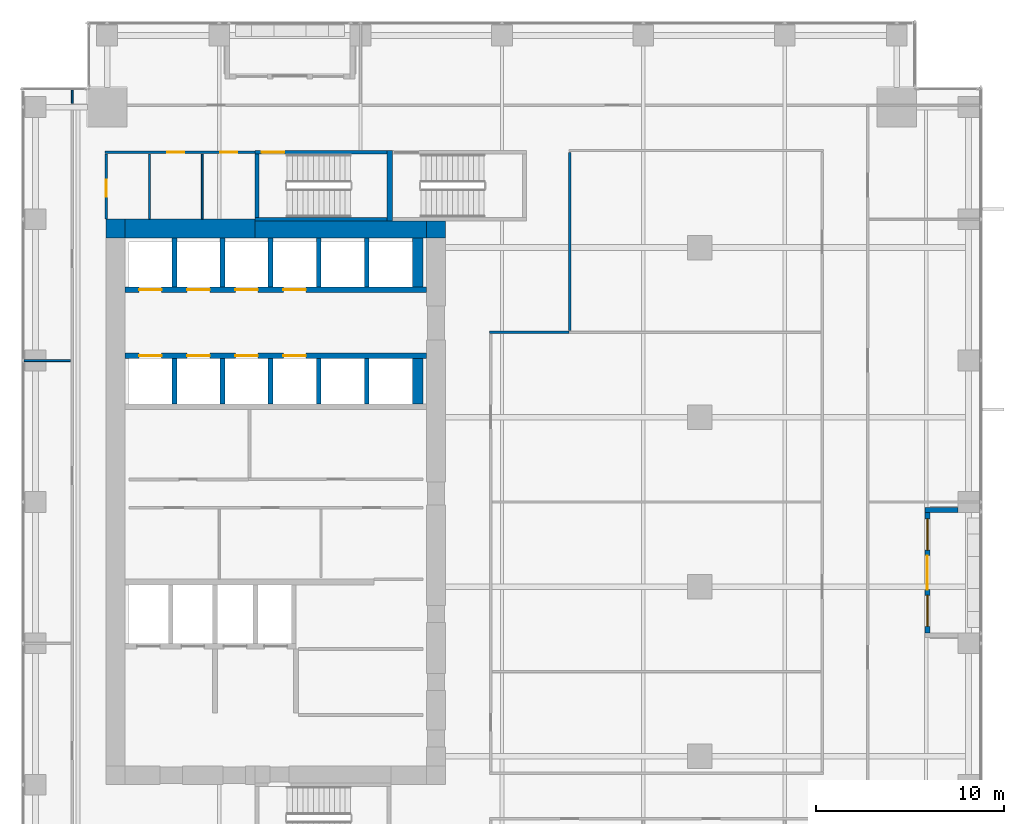
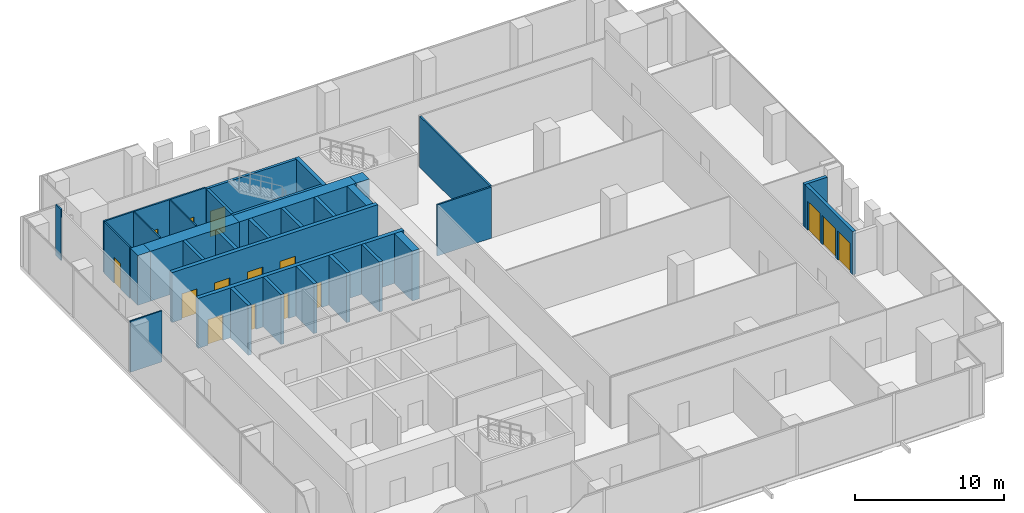
# One storey, part 30 of 34: 32 walls, 13 doors, 2 windows, 15 openings.
"""IFC4 building model written with IfcOpenShell, lengths in metres."""

from ifc_helpers import new_model, si_unit, direction, frame, frame_2d, origin, place, context, subcontext, project, spatial, rectangle, extrude, source, transform, mapped, material, layer, layer_set, type_object, element, fill, save


model = new_model("IFC4")

# Units and contexts
model_context = context("Model", 3, precision=1e-05, world=origin(), true_north=direction((0.0, 1.0)))
body_context = subcontext(model_context, "Body", "Model", "MODEL_VIEW")
ifc_project = project(units=[si_unit("LENGTHUNIT", "METRE"), si_unit("AREAUNIT", "SQUARE_METRE"), si_unit("VOLUMEUNIT", "CUBIC_METRE"), si_unit("PLANEANGLEUNIT", "RADIAN"), si_unit("MASSUNIT", "GRAM", prefix="KILO")], contexts=[model_context])

# Site, building, storey
site_placement = place(None, origin())
site = spatial("IfcSite", under=ifc_project, at=site_placement, CompositionType="ELEMENT")
building_placement = place(site_placement, origin())
building = spatial("IfcBuilding", under=site, at=building_placement, Name="Khomas Fold Tower", CompositionType="ELEMENT")
storey_placement = place(building_placement, frame((0.0, 0.0, 105.89990234375)))
storey = spatial("IfcBuildingStorey", under=building, at=storey_placement, Name="L22", CompositionType="ELEMENT", Elevation=105.89990234375)

# Walls
ifc_material_1 = material(Name="Concrete C70/85", Category="concrete")
ifc_layer_1 = layer(ifc_material_1, 1.0)
ifc_layer_set_1 = layer_set([ifc_layer_1], Name="Concrete C70/85")
wall_type_1 = type_object("IfcWallType", Name="Core wall 1000", PredefinedType="SHEAR", material=ifc_layer_set_1)
shared_shape_1 = source(origin(), body_context, "Body", "SweptSolid", [
    extrude(rectangle(XDim=6.89990234375, YDim=1.0, at=frame_2d((3.449951171875, 0.0))), origin(), (0.0, 0.0, 1.0), 4.10009765625),
])
wall_1_placement = place(storey_placement, frame((7.0, 41.5, 0.0), z_axis=(0.0, 0.0, 1.0), x_axis=(1.0, 0.0, 0.0)))
element("IfcWall", 1, at=wall_1_placement, inside=storey, type_object=wall_type_1, Name="Core wall CW-L-N-L21", PredefinedType="SHEAR", context=body_context, shape_type="MappedRepresentation", body=[
    mapped(shared_shape_1, transform((0.0, 0.0, 0.0))),
])
ifc_material_2 = material(Name="Concrete C70/85", Category="concrete")
ifc_layer_2 = layer(ifc_material_2, 0.89990234375)
ifc_layer_set_2 = layer_set([ifc_layer_2], Name="Concrete C70/85")
wall_type_2 = type_object("IfcWallType", Name="Core wall 900", PredefinedType="SHEAR", material=ifc_layer_set_2)
shared_shape_2 = source(origin(), body_context, "Body", "SweptSolid", [
    extrude(rectangle(XDim=9.10009765625, YDim=0.89990234375, at=frame_2d((4.550048828125, 0.0))), origin(), (0.0, 0.0, 1.0), 4.10009765625),
])
wall_2_placement = place(storey_placement, frame((13.89990234375, 41.449951171875, 0.0), z_axis=(0.0, 0.0, 1.0), x_axis=(1.0, 0.0, 0.0)))
element("IfcWall", 2, at=wall_2_placement, inside=storey, type_object=wall_type_2, Name="Core wall CW-L-N-L21-1", PredefinedType="SHEAR", context=body_context, shape_type="MappedRepresentation", body=[
    mapped(shared_shape_2, transform((0.0, 0.0, 0.0))),
])
ifc_material_3 = material(Name="Concrete C70/85", Category="concrete")
ifc_layer_3 = layer(ifc_material_3, 0.89990234375)
ifc_layer_set_3 = layer_set([ifc_layer_3], Name="Concrete C70/85")
wall_type_3 = type_object("IfcWallType", Name="Core corner wall 900", PredefinedType="SHEAR", material=ifc_layer_set_3)
shared_shape_3 = source(origin(), body_context, "Body", "SweptSolid", [
    extrude(rectangle(XDim=1.0, YDim=0.89990234375, at=frame_2d((0.5, 0.0))), origin(), (0.0, 0.0, 1.0), 4.10009765625),
])
wall_3_placement = place(storey_placement, frame((23.0, 41.449951171875, 0.0), z_axis=(0.0, 0.0, 1.0), x_axis=(1.0, 0.0, 0.0)))
element("IfcWall", 3, at=wall_3_placement, inside=storey, type_object=wall_type_3, Name="Core wall CW-L-NE-L21", PredefinedType="SHEAR", context=body_context, shape_type="MappedRepresentation", body=[
    mapped(shared_shape_3, transform((0.0, 0.0, 0.0))),
])
ifc_material_4 = material(Name="Concrete C70/85", Category="concrete")
ifc_layer_4 = layer(ifc_material_4, 1.0)
ifc_layer_set_4 = layer_set([ifc_layer_4], Name="Concrete C70/85")
wall_type_4 = type_object("IfcWallType", Name="Core corner wall 1000", PredefinedType="SHEAR", material=ifc_layer_set_4)
shared_shape_4 = source(origin(), body_context, "Body", "SweptSolid", [
    extrude(rectangle(XDim=1.0, YDim=1.0, at=frame_2d((0.5, 0.0))), origin(), (0.0, 0.0, 1.0), 4.10009765625),
])
wall_4_placement = place(storey_placement, frame((6.0, 41.5, 0.0), z_axis=(0.0, 0.0, 1.0), x_axis=(1.0, 0.0, 0.0)))
element("IfcWall", 4, at=wall_4_placement, inside=storey, type_object=wall_type_4, Name="Core wall CW-L-NW-L21", PredefinedType="SHEAR", context=body_context, shape_type="MappedRepresentation", body=[
    mapped(shared_shape_4, transform((0.0, 0.0, 0.0))),
])

# Wall, opening, door
ifc_material_5 = material(Name="Concrete C50/60", Category="concrete")
ifc_layer_5 = layer(ifc_material_5, 0.199951171875)
ifc_layer_set_5 = layer_set([ifc_layer_5], Name="Concrete C50/60")
wall_type_5 = type_object("IfcWallType", Name="Stair wall 200", PredefinedType="SHEAR", material=ifc_layer_set_5)
shared_shape_5 = source(origin(), body_context, "Body", "SweptSolid", [
    extrude(rectangle(XDim=7.0, YDim=0.199951171875, at=frame_2d((3.5, 0.0))), origin(), (0.0, 0.0, 1.0), 4.10009765625),
])
wall_5_placement = place(storey_placement, frame((13.89990234375, 45.550048828125, 0.0), z_axis=(0.0, 0.0, 1.0), x_axis=(1.0, 0.0, 0.0)))
wall_5 = element("IfcWall", 5, at=wall_5_placement, inside=storey, type_object=wall_type_5, Name="Stair wall SW-ST1-N", PredefinedType="SHEAR", context=body_context, shape_type="MappedRepresentation", body=[
    mapped(shared_shape_5, transform((0.0, 0.0, 0.0))),
])
shared_shape_6 = source(origin(), body_context, "Body", "SweptSolid", [
    extrude(rectangle(XDim=1.199951171875, YDim=2.10009765625, at=frame_2d((0.60009765625, 1.050048828125))), frame((0.0, 0.10986328125, 0.0), z_axis=(0.0, -1.0, 0.0), x_axis=(1.0, 0.0, 0.0)), (0.0, 0.0, 1.0), 0.219970703125),
])
opening_1_placement = place(wall_5_placement, frame((0.35009765625, 0.0, 0.0)))
opening_1 = element("IfcOpeningElement", 6, at=opening_1_placement, cuts=wall_5, Name="Opening SD-ST1", PredefinedType="OPENING", context=body_context, shape_type="MappedRepresentation", body=[
    mapped(shared_shape_6, transform((0.0, 0.0, 0.0))),
])
ifc_material_6 = material(Name="Steel door leaf", Category="steel")
door_type_1 = type_object("IfcDoorType", Name="Stair door 1200x2100 left-hand", OperationType="SINGLE_SWING_LEFT", PredefinedType="DOOR", material=ifc_material_6)
shared_shape_7 = source(origin(), body_context, "Body", "SweptSolid", [
    extrude(rectangle(XDim=1.199951171875, YDim=2.10009765625, at=frame_2d((0.60009765625, 1.050048828125))), frame((0.0, 0.02490234375, 0.0), z_axis=(0.0, -1.0, 0.0), x_axis=(1.0, 0.0, 0.0)), (0.0, 0.0, 1.0), 0.050048828125),
])
door_1_placement = place(opening_1_placement, origin())
door_1 = element("IfcDoor", 7, at=door_1_placement, inside=storey, type_object=door_type_1, Name="Stair door", OperationType="SINGLE_SWING_LEFT", OverallHeight=2.10009765625, OverallWidth=1.199951171875, PredefinedType="DOOR", context=body_context, shape_type="MappedRepresentation", body=[
    mapped(shared_shape_7, transform((0.0, 0.0, 0.0))),
])
fill(opening_1, door_1)

# Walls
wall_6_placement = place(storey_placement, frame((13.89990234375, 42.0, 0.0), z_axis=(0.0, 0.0, 1.0), x_axis=(1.0, 0.0, 0.0)))
element("IfcWall", 8, at=wall_6_placement, inside=storey, type_object=wall_type_5, Name="Stair wall SW-ST1-S", PredefinedType="SHEAR", context=body_context, shape_type="MappedRepresentation", body=[
    mapped(shared_shape_5, transform((0.0, 0.0, 0.0))),
])
ifc_material_7 = material(Name="Concrete C50/60", Category="concrete")
ifc_layer_6 = layer(ifc_material_7, 0.300048828125)
ifc_layer_set_6 = layer_set([ifc_layer_6], Name="Concrete C50/60")
wall_type_6 = type_object("IfcWallType", Name="Stair wall 300", PredefinedType="SHEAR", material=ifc_layer_set_6)
shared_shape_8 = source(origin(), body_context, "Body", "SweptSolid", [
    extrude(rectangle(XDim=3.75, YDim=0.300048828125, at=frame_2d((1.875, 0.0))), origin(), (0.0, 0.0, 1.0), 4.10009765625),
])
wall_7_placement = place(storey_placement, frame((21.050048828125, 41.89990234375, 0.0), z_axis=(0.0, 0.0, 1.0), x_axis=(0.0, 1.0, 0.0)))
element("IfcWall", 9, at=wall_7_placement, inside=storey, type_object=wall_type_6, Name="Stair wall SW-ST1-E", PredefinedType="SHEAR", context=body_context, shape_type="MappedRepresentation", body=[
    mapped(shared_shape_8, transform((0.0, 0.0, 0.0))),
])
shared_shape_9 = source(origin(), body_context, "Body", "SweptSolid", [
    extrude(rectangle(XDim=3.349853515625, YDim=0.199951171875, at=frame_2d((1.6748046875, 0.0))), origin(), (0.0, 0.0, 1.0), 4.10009765625),
])
wall_8_placement = place(storey_placement, frame((14.0, 42.10009765625, 0.0), z_axis=(0.0, 0.0, 1.0), x_axis=(0.0, 1.0, 0.0)))
element("IfcWall", 10, at=wall_8_placement, inside=storey, type_object=wall_type_5, Name="Stair wall SW-ST1-W", PredefinedType="SHEAR", context=body_context, shape_type="MappedRepresentation", body=[
    mapped(shared_shape_9, transform((0.0, 0.0, 0.0))),
])

# Wall, openings, doors
ifc_material_8 = material(Name="Concrete C50/60", Category="concrete")
ifc_layer_7 = layer(ifc_material_8, 0.300048828125)
ifc_layer_set_7 = layer_set([ifc_layer_7], Name="Concrete C50/60")
wall_type_7 = type_object("IfcWallType", Name="Shaft wall 300", PredefinedType="STANDARD", material=ifc_layer_set_7)
shared_shape_10 = source(origin(), body_context, "Body", "SweptSolid", [
    extrude(rectangle(XDim=16.0, YDim=0.300048828125, at=frame_2d((8.0, 0.0))), origin(), (0.0, 0.0, 1.0), 4.10009765625),
])
wall_9_placement = place(storey_placement, frame((7.0, 38.25, 0.0), z_axis=(0.0, 0.0, 1.0), x_axis=(1.0, 0.0, 0.0)))
wall_9 = element("IfcWall", 11, at=wall_9_placement, inside=storey, type_object=wall_type_7, Name="Core wall SW-LRN-F", PredefinedType="STANDARD", context=body_context, shape_type="MappedRepresentation", body=[
    mapped(shared_shape_10, transform((0.0, 0.0, 0.0))),
])
shared_shape_11 = source(origin(), body_context, "Body", "SweptSolid", [
    extrude(rectangle(XDim=1.199951171875, YDim=2.10009765625, at=frame_2d((0.60009765625, 1.050048828125))), frame((0.0, 0.159912109375, 0.0), z_axis=(0.0, -1.0, 0.0), x_axis=(1.0, 0.0, 0.0)), (0.0, 0.0, 1.0), 0.320068359375),
])
opening_2_placement = place(wall_9_placement, frame((0.75, 0.0, 0.0)))
opening_2 = element("IfcOpeningElement", 12, at=opening_2_placement, cuts=wall_9, Name="Opening LD-LR5", PredefinedType="OPENING", context=body_context, shape_type="MappedRepresentation", body=[
    mapped(shared_shape_11, transform((0.0, 0.0, 0.0))),
])
opening_3_placement = place(wall_9_placement, frame((3.300048828125, 0.0, 0.0)))
opening_3 = element("IfcOpeningElement", 13, at=opening_3_placement, cuts=wall_9, Name="Opening LD-LR6", PredefinedType="OPENING", context=body_context, shape_type="MappedRepresentation", body=[
    mapped(shared_shape_11, transform((0.0, 0.0, 0.0))),
])
opening_4_placement = place(wall_9_placement, frame((5.85009765625, 0.0, 0.0)))
opening_4 = element("IfcOpeningElement", 14, at=opening_4_placement, cuts=wall_9, Name="Opening LD-LR7", PredefinedType="OPENING", context=body_context, shape_type="MappedRepresentation", body=[
    mapped(shared_shape_11, transform((0.0, 0.0, 0.0))),
])
opening_5_placement = place(wall_9_placement, frame((8.39990234375, 0.0, 0.0)))
opening_5 = element("IfcOpeningElement", 15, at=opening_5_placement, cuts=wall_9, Name="Opening LD-LR8", PredefinedType="OPENING", context=body_context, shape_type="MappedRepresentation", body=[
    mapped(shared_shape_11, transform((0.0, 0.0, 0.0))),
])
ifc_material_9 = material(Name="Steel door leaf", Category="steel")
door_type_2 = type_object("IfcDoorType", Name="Landing door 1200x2100", OperationType="DOUBLE_DOOR_SLIDING", PredefinedType="DOOR", material=ifc_material_9)
door_2_placement = place(opening_2_placement, origin())
door_2 = element("IfcDoor", 16, at=door_2_placement, inside=storey, type_object=door_type_2, Name="Lift landing door", OperationType="DOUBLE_DOOR_SLIDING", OverallHeight=2.10009765625, OverallWidth=1.199951171875, PredefinedType="DOOR", context=body_context, shape_type="MappedRepresentation", body=[
    mapped(shared_shape_7, transform((0.0, 0.0, 0.0))),
])
fill(opening_2, door_2)
door_3_placement = place(opening_3_placement, origin())
door_3 = element("IfcDoor", 17, at=door_3_placement, inside=storey, type_object=door_type_2, Name="Lift landing door", OperationType="DOUBLE_DOOR_SLIDING", OverallHeight=2.10009765625, OverallWidth=1.199951171875, PredefinedType="DOOR", context=body_context, shape_type="MappedRepresentation", body=[
    mapped(shared_shape_7, transform((0.0, 0.0, 0.0))),
])
fill(opening_3, door_3)
door_4_placement = place(opening_4_placement, origin())
door_4 = element("IfcDoor", 18, at=door_4_placement, inside=storey, type_object=door_type_2, Name="Lift landing door", OperationType="DOUBLE_DOOR_SLIDING", OverallHeight=2.10009765625, OverallWidth=1.199951171875, PredefinedType="DOOR", context=body_context, shape_type="MappedRepresentation", body=[
    mapped(shared_shape_7, transform((0.0, 0.0, 0.0))),
])
fill(opening_4, door_4)
door_5_placement = place(opening_5_placement, origin())
door_5 = element("IfcDoor", 19, at=door_5_placement, inside=storey, type_object=door_type_2, Name="Lift landing door", OperationType="DOUBLE_DOOR_SLIDING", OverallHeight=2.10009765625, OverallWidth=1.199951171875, PredefinedType="DOOR", context=body_context, shape_type="MappedRepresentation", body=[
    mapped(shared_shape_7, transform((0.0, 0.0, 0.0))),
])
fill(opening_5, door_5)

wall_10_placement = place(storey_placement, frame((7.0, 34.75, 0.0), z_axis=(0.0, 0.0, 1.0), x_axis=(1.0, 0.0, 0.0)))
wall_10 = element("IfcWall", 20, at=wall_10_placement, inside=storey, type_object=wall_type_7, Name="Core wall SW-LRS-F", PredefinedType="STANDARD", context=body_context, shape_type="MappedRepresentation", body=[
    mapped(shared_shape_10, transform((0.0, 0.0, 0.0))),
])
opening_6_placement = place(wall_10_placement, frame((0.75, 0.0, 0.0)))
opening_6 = element("IfcOpeningElement", 21, at=opening_6_placement, cuts=wall_10, Name="Opening LD-LR1", PredefinedType="OPENING", context=body_context, shape_type="MappedRepresentation", body=[
    mapped(shared_shape_11, transform((0.0, 0.0, 0.0))),
])
opening_7_placement = place(wall_10_placement, frame((3.300048828125, 0.0, 0.0)))
opening_7 = element("IfcOpeningElement", 22, at=opening_7_placement, cuts=wall_10, Name="Opening LD-LR2", PredefinedType="OPENING", context=body_context, shape_type="MappedRepresentation", body=[
    mapped(shared_shape_11, transform((0.0, 0.0, 0.0))),
])
opening_8_placement = place(wall_10_placement, frame((5.85009765625, 0.0, 0.0)))
opening_8 = element("IfcOpeningElement", 23, at=opening_8_placement, cuts=wall_10, Name="Opening LD-LR3", PredefinedType="OPENING", context=body_context, shape_type="MappedRepresentation", body=[
    mapped(shared_shape_11, transform((0.0, 0.0, 0.0))),
])
opening_9_placement = place(wall_10_placement, frame((8.39990234375, 0.0, 0.0)))
opening_9 = element("IfcOpeningElement", 24, at=opening_9_placement, cuts=wall_10, Name="Opening LD-LR4", PredefinedType="OPENING", context=body_context, shape_type="MappedRepresentation", body=[
    mapped(shared_shape_11, transform((0.0, 0.0, 0.0))),
])
door_6_placement = place(opening_6_placement, origin())
door_6 = element("IfcDoor", 25, at=door_6_placement, inside=storey, type_object=door_type_2, Name="Lift landing door", OperationType="DOUBLE_DOOR_SLIDING", OverallHeight=2.10009765625, OverallWidth=1.199951171875, PredefinedType="DOOR", context=body_context, shape_type="MappedRepresentation", body=[
    mapped(shared_shape_7, transform((0.0, 0.0, 0.0))),
])
fill(opening_6, door_6)
door_7_placement = place(opening_7_placement, origin())
door_7 = element("IfcDoor", 26, at=door_7_placement, inside=storey, type_object=door_type_2, Name="Lift landing door", OperationType="DOUBLE_DOOR_SLIDING", OverallHeight=2.10009765625, OverallWidth=1.199951171875, PredefinedType="DOOR", context=body_context, shape_type="MappedRepresentation", body=[
    mapped(shared_shape_7, transform((0.0, 0.0, 0.0))),
])
fill(opening_7, door_7)
door_8_placement = place(opening_8_placement, origin())
door_8 = element("IfcDoor", 27, at=door_8_placement, inside=storey, type_object=door_type_2, Name="Lift landing door", OperationType="DOUBLE_DOOR_SLIDING", OverallHeight=2.10009765625, OverallWidth=1.199951171875, PredefinedType="DOOR", context=body_context, shape_type="MappedRepresentation", body=[
    mapped(shared_shape_7, transform((0.0, 0.0, 0.0))),
])
fill(opening_8, door_8)
door_9_placement = place(opening_9_placement, origin())
door_9 = element("IfcDoor", 28, at=door_9_placement, inside=storey, type_object=door_type_2, Name="Lift landing door", OperationType="DOUBLE_DOOR_SLIDING", OverallHeight=2.10009765625, OverallWidth=1.199951171875, PredefinedType="DOOR", context=body_context, shape_type="MappedRepresentation", body=[
    mapped(shared_shape_7, transform((0.0, 0.0, 0.0))),
])
fill(opening_9, door_9)

# Walls
ifc_material_10 = material(Name="Concrete C50/60", Category="concrete")
ifc_layer_8 = layer(ifc_material_10, 0.25)
ifc_layer_set_8 = layer_set([ifc_layer_8], Name="Concrete C50/60")
wall_type_8 = type_object("IfcWallType", Name="Shaft wall 250", PredefinedType="STANDARD", material=ifc_layer_set_8)
shared_shape_12 = source(origin(), body_context, "Body", "SweptSolid", [
    extrude(rectangle(XDim=2.60009765625, YDim=0.25, at=frame_2d((1.300048828125, 0.0))), origin(), (0.0, 0.0, 1.0), 4.10009765625),
])
for number, where, z_axis, x_axis, name in (
    (29, (9.625, 38.39990234375, 0.0), (0.0, 0.0, 1.0), (0.0, 1.0, 0.0), "Core wall SW-LRN-P1"),
    (30, (12.175048828125, 38.39990234375, 0.0), (0.0, 0.0, 1.0), (0.0, 1.0, 0.0), "Core wall SW-LRN-P2"),
    (31, (14.72509765625, 38.39990234375, 0.0), (0.0, 0.0, 1.0), (0.0, 1.0, 0.0), "Core wall SW-LRN-P3"),
    (32, (17.27490234375, 38.39990234375, 0.0), (0.0, 0.0, 1.0), (0.0, 1.0, 0.0), "Core wall SW-LRN-P4"),
    (33, (19.824951171875, 38.39990234375, 0.0), (0.0, 0.0, 1.0), (0.0, 1.0, 0.0), "Core wall SW-LRN-P5"),
):
    element("IfcWall", number, at=place(storey_placement, frame(where, z_axis=z_axis, x_axis=x_axis)), inside=storey, type_object=wall_type_8, Name=name, PredefinedType="STANDARD", context=body_context, shape_type="MappedRepresentation", body=[
        mapped(shared_shape_12, transform((0.0, 0.0, 0.0))),
    ])
ifc_material_11 = material(Name="Concrete C50/60", Category="concrete")
ifc_layer_9 = layer(ifc_material_11, 0.550048828125)
ifc_layer_set_9 = layer_set([ifc_layer_9], Name="Concrete C50/60")
wall_type_9 = type_object("IfcWallType", Name="Shaft wall 550", PredefinedType="STANDARD", material=ifc_layer_set_9)
shared_shape_13 = source(origin(), body_context, "Body", "SweptSolid", [
    extrude(rectangle(XDim=2.60009765625, YDim=0.550048828125, at=frame_2d((1.300048828125, 0.0))), origin(), (0.0, 0.0, 1.0), 4.10009765625),
])
wall_11_placement = place(storey_placement, frame((22.52490234375, 38.39990234375, 0.0), z_axis=(0.0, 0.0, 1.0), x_axis=(0.0, 1.0, 0.0)))
element("IfcWall", 34, at=wall_11_placement, inside=storey, type_object=wall_type_9, Name="Core wall SW-LRN-PE", PredefinedType="STANDARD", context=body_context, shape_type="MappedRepresentation", body=[
    mapped(shared_shape_13, transform((0.0, 0.0, 0.0))),
])
shared_shape_14 = source(origin(), body_context, "Body", "SweptSolid", [
    extrude(rectangle(XDim=2.400146484375, YDim=0.25, at=frame_2d((1.2001953125, 0.0))), origin(), (0.0, 0.0, 1.0), 4.10009765625),
])
for number, where, z_axis, x_axis, name in (
    (35, (9.625, 32.199951171875, 0.0), (0.0, 0.0, 1.0), (0.0, 1.0, 0.0), "Core wall SW-LRS-P1"),
    (36, (12.175048828125, 32.199951171875, 0.0), (0.0, 0.0, 1.0), (0.0, 1.0, 0.0), "Core wall SW-LRS-P2"),
    (37, (14.72509765625, 32.199951171875, 0.0), (0.0, 0.0, 1.0), (0.0, 1.0, 0.0), "Core wall SW-LRS-P3"),
    (38, (17.27490234375, 32.199951171875, 0.0), (0.0, 0.0, 1.0), (0.0, 1.0, 0.0), "Core wall SW-LRS-P4"),
    (39, (19.824951171875, 32.199951171875, 0.0), (0.0, 0.0, 1.0), (0.0, 1.0, 0.0), "Core wall SW-LRS-P5"),
):
    element("IfcWall", number, at=place(storey_placement, frame(where, z_axis=z_axis, x_axis=x_axis)), inside=storey, type_object=wall_type_8, Name=name, PredefinedType="STANDARD", context=body_context, shape_type="MappedRepresentation", body=[
        mapped(shared_shape_14, transform((0.0, 0.0, 0.0))),
    ])
shared_shape_15 = source(origin(), body_context, "Body", "SweptSolid", [
    extrude(rectangle(XDim=2.400146484375, YDim=0.550048828125, at=frame_2d((1.2001953125, 0.0))), origin(), (0.0, 0.0, 1.0), 4.10009765625),
])
wall_12_placement = place(storey_placement, frame((22.52490234375, 32.199951171875, 0.0), z_axis=(0.0, 0.0, 1.0), x_axis=(0.0, 1.0, 0.0)))
element("IfcWall", 40, at=wall_12_placement, inside=storey, type_object=wall_type_9, Name="Core wall SW-LRS-PE", PredefinedType="STANDARD", context=body_context, shape_type="MappedRepresentation", body=[
    mapped(shared_shape_15, transform((0.0, 0.0, 0.0))),
])

# Wall, openings, door, windows
ifc_material_12 = material(Name="Natural stone", Category="masonry")
ifc_layer_10 = layer(ifc_material_12, 0.0400390625)
ifc_material_13 = material(Name="Mineral wool insulation", Category="insulation")
ifc_layer_11 = layer(ifc_material_13, 0.10009765625)
ifc_material_14 = material(Name="Masonry", Category="masonry")
ifc_layer_12 = layer(ifc_material_14, 0.110107421875)
ifc_layer_set_10 = layer_set([ifc_layer_10, ifc_layer_11, ifc_layer_12], Name="Stone-faced insulated masonry")
wall_type_10 = type_object("IfcWallType", Name="BL-Balcony wall", PredefinedType="SOLIDWALL", material=ifc_layer_set_10)
shared_shape_16 = source(origin(), body_context, "Body", "SweptSolid", [
    extrude(rectangle(XDim=6.39990234375, YDim=0.25, at=frame_2d((3.199951171875, 0.0))), origin(), (0.0, 0.0, 1.0), 3.550048828125),
])
wall_13_placement = place(storey_placement, frame((49.574951171875, 20.050048828125, 0.0), z_axis=(0.0, 0.0, 1.0), x_axis=(0.0, 1.0, 0.0)))
wall_13 = element("IfcWall", 41, at=wall_13_placement, inside=storey, type_object=wall_type_10, Name="Balcony wall BAL-L22-E2", PredefinedType="SOLIDWALL", context=body_context, shape_type="MappedRepresentation", body=[
    mapped(shared_shape_16, transform((0.0, 0.0, 0.0))),
])
shared_shape_17 = source(origin(), body_context, "Body", "SweptSolid", [
    extrude(rectangle(XDim=1.64990234375, YDim=2.39990234375, at=frame_2d((0.824951171875, 1.199951171875))), frame((0.0, 0.135009765625, 0.0), z_axis=(0.0, -1.0, 0.0), x_axis=(1.0, 0.0, 0.0)), (0.0, 0.0, 1.0), 0.27001953125),
])
opening_10_placement = place(wall_13_placement, frame((0.35009765625, 0.0, 0.0)))
opening_10 = element("IfcOpeningElement", 42, at=opening_10_placement, cuts=wall_13, Name="Opening BL-W2", PredefinedType="OPENING", context=body_context, shape_type="MappedRepresentation", body=[
    mapped(shared_shape_17, transform((0.0, 0.0, 0.0))),
])
opening_11_placement = place(wall_13_placement, frame((4.39990234375, 0.0, 0.0)))
opening_11 = element("IfcOpeningElement", 43, at=opening_11_placement, cuts=wall_13, Name="Opening BL-W2", PredefinedType="OPENING", context=body_context, shape_type="MappedRepresentation", body=[
    mapped(shared_shape_17, transform((0.0, 0.0, 0.0))),
])
shared_shape_18 = source(origin(), body_context, "Body", "SweptSolid", [
    extrude(rectangle(XDim=1.800048828125, YDim=2.39990234375, at=frame_2d((0.89990234375, 1.199951171875))), frame((0.0, 0.135009765625, 0.0), z_axis=(0.0, -1.0, 0.0), x_axis=(1.0, 0.0, 0.0)), (0.0, 0.0, 1.0), 0.27001953125),
])
opening_12_placement = place(wall_13_placement, frame((2.300048828125, 0.0, 0.0)))
opening_12 = element("IfcOpeningElement", 44, at=opening_12_placement, cuts=wall_13, Name="Opening BD222", PredefinedType="OPENING", context=body_context, shape_type="MappedRepresentation", body=[
    mapped(shared_shape_18, transform((0.0, 0.0, 0.0))),
])
ifc_material_15 = material(Name="Aluminium framed double glazing", Category="aluminium")
door_type_3 = type_object("IfcDoorType", Name="BL-Glazed balcony door 1800 x 2400", OperationType="DOUBLE_DOOR_DOUBLE_SWING", PredefinedType="DOOR", material=ifc_material_15)
shared_shape_19 = source(origin(), body_context, "Body", "SweptSolid", [
    extrude(rectangle(XDim=1.800048828125, YDim=2.39990234375, at=frame_2d((0.89990234375, 1.199951171875))), frame((0.0, 0.02490234375, 0.0), z_axis=(0.0, -1.0, 0.0), x_axis=(1.0, 0.0, 0.0)), (0.0, 0.0, 1.0), 0.050048828125),
])
door_10_placement = place(opening_12_placement, origin())
door_10 = element("IfcDoor", 45, at=door_10_placement, inside=storey, type_object=door_type_3, Name="Balcony door BD222", OperationType="DOUBLE_DOOR_DOUBLE_SWING", OverallHeight=2.39990234375, OverallWidth=1.800048828125, PredefinedType="DOOR", context=body_context, shape_type="MappedRepresentation", body=[
    mapped(shared_shape_19, transform((0.0, 0.0, 0.0))),
])
fill(opening_12, door_10)
ifc_material_16 = material(Name="Aluminium framed double glazing", Category="aluminium")
window_type = type_object("IfcWindowType", Name="BL-Fixed glazing 1650 x 2400", PartitioningType="SINGLE_PANEL", PredefinedType="WINDOW", material=ifc_material_16)
shared_shape_20 = source(origin(), body_context, "Body", "SweptSolid", [
    extrude(rectangle(XDim=1.64990234375, YDim=2.39990234375, at=frame_2d((0.824951171875, 1.199951171875))), frame((0.0, 0.030029296875, 0.0), z_axis=(0.0, -1.0, 0.0), x_axis=(1.0, 0.0, 0.0)), (0.0, 0.0, 1.0), 0.06005859375),
])
window_1_placement = place(opening_10_placement, origin())
window_1 = element("IfcWindow", 46, at=window_1_placement, inside=storey, type_object=window_type, Name="Balcony glazing BAL-L22-E2-1", OverallHeight=2.39990234375, OverallWidth=1.64990234375, PartitioningType="SINGLE_PANEL", PredefinedType="WINDOW", context=body_context, shape_type="MappedRepresentation", body=[
    mapped(shared_shape_20, transform((0.0, 0.0, 0.0))),
])
fill(opening_10, window_1)
window_2_placement = place(opening_11_placement, origin())
window_2 = element("IfcWindow", 47, at=window_2_placement, inside=storey, type_object=window_type, Name="Balcony glazing BAL-L22-E2-2", OverallHeight=2.39990234375, OverallWidth=1.64990234375, PartitioningType="SINGLE_PANEL", PredefinedType="WINDOW", context=body_context, shape_type="MappedRepresentation", body=[
    mapped(shared_shape_20, transform((0.0, 0.0, 0.0))),
])
fill(opening_11, window_2)

# Walls
shared_shape_21 = source(origin(), body_context, "Body", "SweptSolid", [
    extrude(rectangle(XDim=1.75, YDim=0.25, at=frame_2d((0.875, 0.0))), origin(), (0.0, 0.0, 1.0), 3.550048828125),
])
wall_14_placement = place(storey_placement, frame((51.199951171875, 26.574951171875, 0.0), z_axis=(0.0, 0.0, 1.0), x_axis=(-1.0, 0.0, 0.0)))
element("IfcWall", 48, at=wall_14_placement, inside=storey, type_object=wall_type_10, Name="Balcony return wall BAL-L22-E2-hi", PredefinedType="SOLIDWALL", context=body_context, shape_type="MappedRepresentation", body=[
    mapped(shared_shape_21, transform((0.0, 0.0, 0.0))),
])
ifc_material_17 = material(Name="Plasterboard partition")
ifc_layer_13 = layer(ifc_material_17, 0.10009765625)
ifc_layer_set_11 = layer_set([ifc_layer_13], Name="Plasterboard partition")
wall_type_11 = type_object("IfcWallType", Name="Partition PW1 100", PredefinedType="PARTITIONING", material=ifc_layer_set_11)
shared_shape_22 = source(origin(), body_context, "Body", "SweptSolid", [
    extrude(rectangle(XDim=2.4501953125, YDim=0.10009765625, at=frame_2d((1.22509765625, 0.0))), origin(), (0.0, 0.0, 1.0), 4.2001953125),
])
wall_15_placement = place(storey_placement, frame((1.64990234375, 34.5, 0.0), z_axis=(0.0, 0.0, 1.0), x_axis=(1.0, 0.0, 0.0)))
element("IfcWall", 49, at=wall_15_placement, inside=storey, type_object=wall_type_11, Name="Partition", PredefinedType="PARTITIONING", context=body_context, shape_type="MappedRepresentation", body=[
    mapped(shared_shape_22, transform((0.0, 0.0, 0.0))),
])
ifc_material_18 = material(Name="Plasterboard partition")
ifc_layer_14 = layer(ifc_material_18, 0.125)
ifc_layer_set_12 = layer_set([ifc_layer_14], Name="Plasterboard partition")
wall_type_12 = type_object("IfcWallType", Name="Partition PW2 125", PredefinedType="PARTITIONING", material=ifc_layer_set_12)
shared_shape_23 = source(origin(), body_context, "Body", "SweptSolid", [
    extrude(rectangle(XDim=4.199951171875, YDim=0.125, at=frame_2d((2.10009765625, 0.0))), origin(), (0.0, 0.0, 1.0), 4.2001953125),
])
wall_16_placement = place(storey_placement, frame((26.35009765625, 36.0, 0.0), z_axis=(0.0, 0.0, 1.0), x_axis=(1.0, 0.0, 0.0)))
element("IfcWall", 50, at=wall_16_placement, inside=storey, type_object=wall_type_12, Name="Partition", PredefinedType="PARTITIONING", context=body_context, shape_type="MappedRepresentation", body=[
    mapped(shared_shape_23, transform((0.0, 0.0, 0.0))),
])
shared_shape_24 = source(origin(), body_context, "Body", "SweptSolid", [
    extrude(rectangle(XDim=9.449951171875, YDim=0.125, at=frame_2d((4.72509765625, 0.0))), origin(), (0.0, 0.0, 1.0), 4.2001953125),
])
wall_17_placement = place(storey_placement, frame((30.60009765625, 36.10009765625, 0.0), z_axis=(0.0, 0.0, 1.0), x_axis=(0.0, 1.0, 0.0)))
element("IfcWall", 51, at=wall_17_placement, inside=storey, type_object=wall_type_12, Name="Partition", PredefinedType="PARTITIONING", context=body_context, shape_type="MappedRepresentation", body=[
    mapped(shared_shape_24, transform((0.0, 0.0, 0.0))),
])

# Wall, opening, door
shared_shape_25 = source(origin(), body_context, "Body", "SweptSolid", [
    extrude(rectangle(XDim=3.449951171875, YDim=0.125, at=frame_2d((1.72509765625, 0.0))), origin(), (0.0, 0.0, 1.0), 4.2001953125),
])
wall_18_placement = place(storey_placement, frame((6.0, 42.0, 0.0), z_axis=(0.0, 0.0, 1.0), x_axis=(0.0, 1.0, 0.0)))
wall_18 = element("IfcWall", 52, at=wall_18_placement, inside=storey, type_object=wall_type_12, Name="Partition", PredefinedType="PARTITIONING", context=body_context, shape_type="MappedRepresentation", body=[
    mapped(shared_shape_25, transform((0.0, 0.0, 0.0))),
])
shared_shape_26 = source(origin(), body_context, "Body", "SweptSolid", [
    extrude(rectangle(XDim=0.89990234375, YDim=2.10009765625, at=frame_2d((0.449951171875, 1.050048828125))), frame((0.0, 0.072509765625, 0.0), z_axis=(0.0, -1.0, 0.0), x_axis=(1.0, 0.0, 0.0)), (0.0, 0.0, 1.0), 0.14501953125),
])
opening_13_placement = place(wall_18_placement, frame((1.199951171875, 0.0, 0.0)))
opening_13 = element("IfcOpeningElement", 53, at=opening_13_placement, cuts=wall_18, Name="Opening 0007", PredefinedType="OPENING", context=body_context, shape_type="MappedRepresentation", body=[
    mapped(shared_shape_26, transform((0.0, 0.0, 0.0))),
])
ifc_material_19 = material(Name="Timber door leaf", Category="wood")
door_type_4 = type_object("IfcDoorType", Name="Door 900x2100 left-hand", OperationType="SINGLE_SWING_LEFT", PredefinedType="DOOR", material=ifc_material_19)
shared_shape_27 = source(origin(), body_context, "Body", "SweptSolid", [
    extrude(rectangle(XDim=0.89990234375, YDim=2.10009765625, at=frame_2d((0.449951171875, 1.050048828125))), frame((0.0, 0.02490234375, 0.0), z_axis=(0.0, -1.0, 0.0), x_axis=(1.0, 0.0, 0.0)), (0.0, 0.0, 1.0), 0.050048828125),
])
door_11_placement = place(opening_13_placement, origin())
door_11 = element("IfcDoor", 54, at=door_11_placement, inside=storey, type_object=door_type_4, Name="Door", OperationType="SINGLE_SWING_LEFT", OverallHeight=2.10009765625, OverallWidth=0.89990234375, PredefinedType="DOOR", context=body_context, shape_type="MappedRepresentation", body=[
    mapped(shared_shape_27, transform((0.0, 0.0, 0.0))),
])
fill(opening_13, door_11)

# Walls
shared_shape_28 = source(origin(), body_context, "Body", "SweptSolid", [
    extrude(rectangle(XDim=3.449951171875, YDim=0.10009765625, at=frame_2d((1.72509765625, 0.0))), origin(), (0.0, 0.0, 1.0), 4.2001953125),
])
for number, where, z_axis, x_axis, name in (
    (55, (8.300048828125, 42.0, 0.0), (0.0, 0.0, 1.0), (0.0, 1.0, 0.0), "Partition"),
    (56, (11.10009765625, 42.0, 0.0), (0.0, 0.0, 1.0), (0.0, 1.0, 0.0), "Partition"),
):
    element("IfcWall", number, at=place(storey_placement, frame(where, z_axis=z_axis, x_axis=x_axis)), inside=storey, type_object=wall_type_11, Name=name, PredefinedType="PARTITIONING", context=body_context, shape_type="MappedRepresentation", body=[
        mapped(shared_shape_28, transform((0.0, 0.0, 0.0))),
    ])

# Wall, openings, doors
shared_shape_29 = source(origin(), body_context, "Body", "SweptSolid", [
    extrude(rectangle(XDim=7.949951171875, YDim=0.125, at=frame_2d((3.97509765625, 0.0))), origin(), (0.0, 0.0, 1.0), 4.2001953125),
])
wall_19_placement = place(storey_placement, frame((5.949951171875, 45.550048828125, 0.0), z_axis=(0.0, 0.0, 1.0), x_axis=(1.0, 0.0, 0.0)))
wall_19 = element("IfcWall", 57, at=wall_19_placement, inside=storey, type_object=wall_type_12, Name="Partition", PredefinedType="PARTITIONING", context=body_context, shape_type="MappedRepresentation", body=[
    mapped(shared_shape_29, transform((0.0, 0.0, 0.0))),
])
opening_14_placement = place(wall_19_placement, frame((3.300048828125, 0.0, 0.0)))
opening_14 = element("IfcOpeningElement", 58, at=opening_14_placement, cuts=wall_19, Name="Opening 0007", PredefinedType="OPENING", context=body_context, shape_type="MappedRepresentation", body=[
    mapped(shared_shape_26, transform((0.0, 0.0, 0.0))),
])
opening_15_placement = place(wall_19_placement, frame((6.10009765625, 0.0, 0.0)))
opening_15 = element("IfcOpeningElement", 59, at=opening_15_placement, cuts=wall_19, Name="Opening 0008", PredefinedType="OPENING", context=body_context, shape_type="MappedRepresentation", body=[
    mapped(shared_shape_26, transform((0.0, 0.0, 0.0))),
])
door_12_placement = place(opening_14_placement, origin())
door_12 = element("IfcDoor", 60, at=door_12_placement, inside=storey, type_object=door_type_4, Name="Door", OperationType="SINGLE_SWING_LEFT", OverallHeight=2.10009765625, OverallWidth=0.89990234375, PredefinedType="DOOR", context=body_context, shape_type="MappedRepresentation", body=[
    mapped(shared_shape_27, transform((0.0, 0.0, 0.0))),
])
fill(opening_14, door_12)
ifc_material_20 = material(Name="Timber door leaf", Category="wood")
door_type_5 = type_object("IfcDoorType", Name="Door 900x2100 right-hand", OperationType="SINGLE_SWING_RIGHT", PredefinedType="DOOR", material=ifc_material_20)
door_13_placement = place(opening_15_placement, origin())
door_13 = element("IfcDoor", 61, at=door_13_placement, inside=storey, type_object=door_type_5, Name="Door", OperationType="SINGLE_SWING_RIGHT", OverallHeight=2.10009765625, OverallWidth=0.89990234375, PredefinedType="DOOR", context=body_context, shape_type="MappedRepresentation", body=[
    mapped(shared_shape_27, transform((0.0, 0.0, 0.0))),
])
fill(opening_15, door_13)

# Wall
shared_shape_30 = source(origin(), body_context, "Body", "SweptSolid", [
    extrude(rectangle(XDim=0.7001953125, YDim=0.10009765625, at=frame_2d((0.35009765625, 0.0))), origin(), (0.0, 0.0, 1.0), 4.2001953125),
])
wall_20_placement = place(storey_placement, frame((4.199951171875, 48.14990234375, 0.0), z_axis=(0.0, 0.0, 1.0), x_axis=(0.0, 1.0, 0.0)))
element("IfcWall", 62, at=wall_20_placement, inside=storey, type_object=wall_type_11, Name="Partition", PredefinedType="PARTITIONING", context=body_context, shape_type="MappedRepresentation", body=[
    mapped(shared_shape_30, transform((0.0, 0.0, 0.0))),
])

save(model, "model.ifc")
